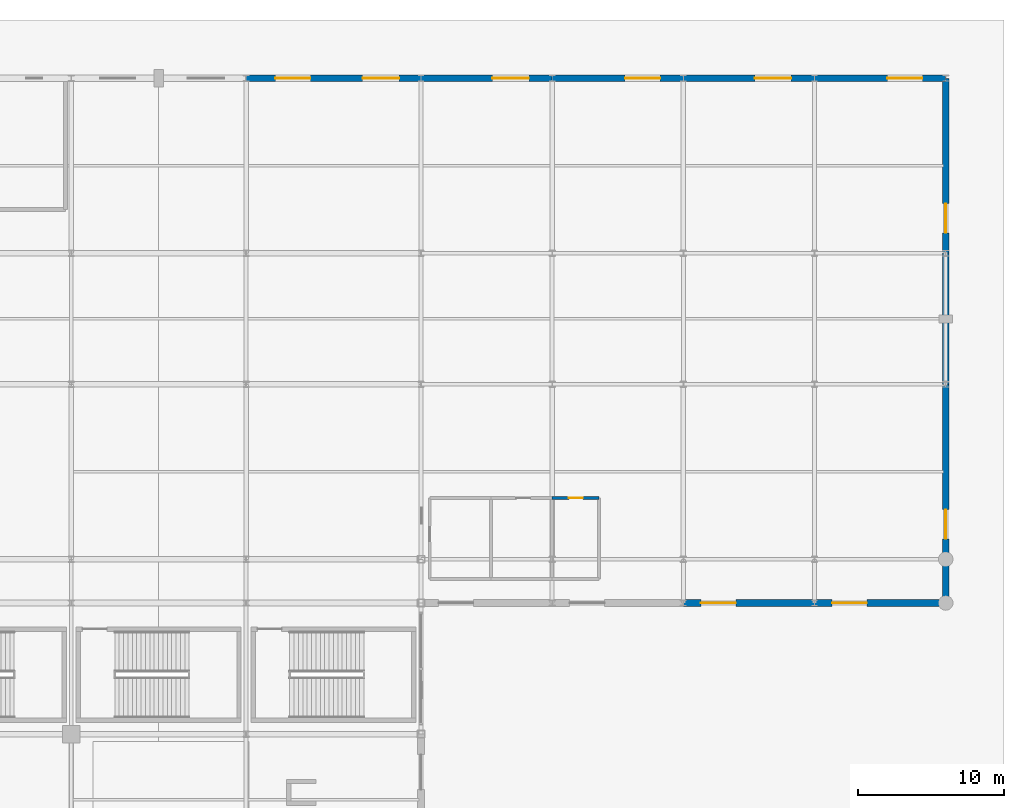
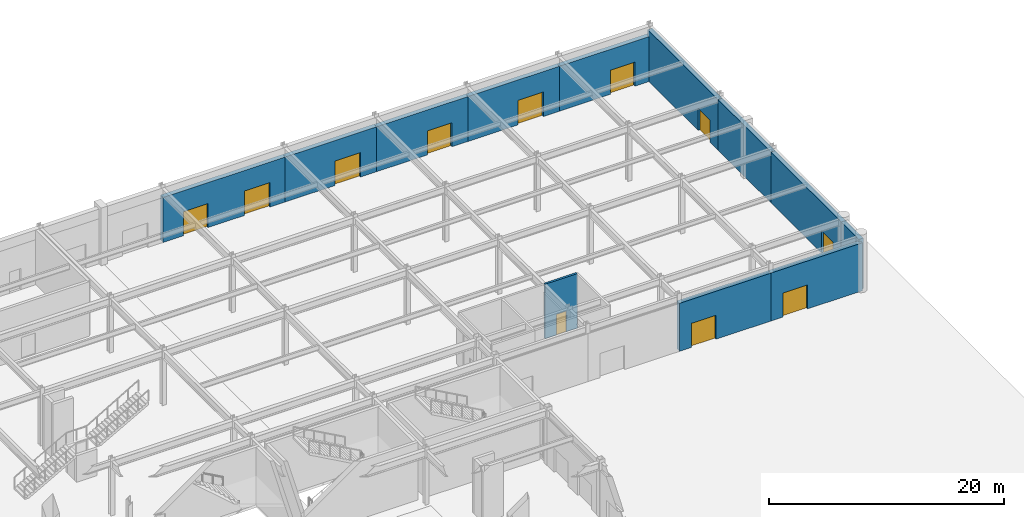
# One storey, part 30 of 44: 12 walls, 11 doors, 11 openings.
"""IFC4 building model written with IfcOpenShell, lengths in metres."""

from ifc_helpers import new_model, si_unit, direction, frame, frame_2d, origin, place, context, subcontext, project, spatial, rectangle, extrude, material, layer, layer_set, type_object, element, fill, save


model = new_model("IFC4")

# Units and contexts
model_context = context("Model", 3, precision=1e-05, world=origin(), true_north=direction((0.0, 1.0)))
body_context = subcontext(model_context, "Body", "Model", "MODEL_VIEW")
ifc_project = project(units=[si_unit("LENGTHUNIT", "METRE"), si_unit("AREAUNIT", "SQUARE_METRE"), si_unit("VOLUMEUNIT", "CUBIC_METRE"), si_unit("PLANEANGLEUNIT", "RADIAN"), si_unit("MASSUNIT", "GRAM", prefix="KILO")], contexts=[model_context])

# Site, building, storey
site_placement = place(None, origin())
site = spatial("IfcSite", under=ifc_project, at=site_placement, CompositionType="ELEMENT")
building_placement = place(site_placement, origin())
building = spatial("IfcBuilding", under=site, at=building_placement, Name="Kaldorvane Square Convention Centre", CompositionType="ELEMENT")
storey_placement = place(building_placement, origin())
storey = spatial("IfcBuildingStorey", under=building, at=storey_placement, Name="L00", CompositionType="ELEMENT", Elevation=0.0)

# Wall, opening, door
ifc_material_1 = material(Name="Fire-Rated Gypsum Board on Acoustic Steel Studs", Category="steel")
ifc_layer_1 = layer(ifc_material_1, 0.1999969482421875)
ifc_layer_set_1 = layer_set([ifc_layer_1], Name="Fire-Rated Gypsum Board on Acoustic Steel Studs")
wall_type_1 = type_object("IfcWallType", Name="WL-CORR-200", PredefinedType="PARTITIONING", material=ifc_layer_set_1)
wall_1_placement = place(storey_placement, frame((150.1999969482422, 88.19999694824219, 0.0), z_axis=(0.0, 0.0, 1.0), x_axis=(-1.0, 0.0, 0.0)))
wall_1 = element("IfcWall", 1, at=wall_1_placement, inside=storey, type_object=wall_type_1, Name="East Concourse Accessible Restroom (L00) N Wall", PredefinedType="PARTITIONING", context=body_context, shape_type="SweptSolid", body=[
    extrude(rectangle(XDim=3.1999969482421875, YDim=0.1999969482421875, at=frame_2d((1.600006103515625, 0.0))), origin(), (0.0, 0.0, 1.0), 5.67999267578125),
])
opening_1_placement = place(wall_1_placement, frame((1.100006103515625, 0.0, 0.0)))
opening_1 = element("IfcOpeningElement", 2, at=opening_1_placement, cuts=wall_1, Name="Opening ID-13", PredefinedType="OPENING", context=body_context, shape_type="SweptSolid", body=[
    extrude(rectangle(XDim=0.9499969482421875, YDim=2.149993896484375, at=frame_2d((0.475006103515625, 1.0749969482421875))), frame((0.0, 0.114990234375, 0.0), z_axis=(0.0, -1.0, 0.0), x_axis=(1.0, 0.0, 0.0)), (0.0, 0.0, 1.0), 0.2299957275390625),
])
ifc_material_2 = material(Name="Architectural Solid-Core White Oak")
door_type_1 = type_object("IfcDoorType", Name="DR-WC-0950X2150", OperationType="SINGLE_SWING_LEFT", PredefinedType="DOOR", material=ifc_material_2)
door_1_placement = place(opening_1_placement, origin())
door_1 = element("IfcDoor", 3, at=door_1_placement, inside=storey, type_object=door_type_1, Name="East Concourse Accessible Restroom (L00) Door 1", OperationType="SINGLE_SWING_LEFT", OverallHeight=2.149993896484375, OverallWidth=0.9499969482421875, PredefinedType="DOOR", context=body_context, shape_type="SweptSolid", body=[
    extrude(rectangle(XDim=0.9499969482421875, YDim=2.149993896484375, at=frame_2d((0.475006103515625, 1.0749969482421875))), frame((0.0, 0.024993896484375, 0.0), z_axis=(0.0, -1.0, 0.0), x_axis=(1.0, 0.0, 0.0)), (0.0, 0.0, 1.0), 0.0500030517578125),
])
fill(opening_1, door_1)

# Wall, openings, doors
ifc_material_3 = material(Name="Concrete f'c = 42 MPa (Normalweight)", Category="concrete")
ifc_layer_2 = layer(ifc_material_3, 0.4499969482421875)
ifc_layer_set_2 = layer_set([ifc_layer_2], Name="Concrete f'c = 42 MPa (Normalweight)")
wall_type_2 = type_object("IfcWallType", Name="WL-EXT-450", PredefinedType="STANDARD", material=ifc_layer_set_2)
wall_2_placement = place(storey_placement, frame((138.0, 117.0, 0.0), z_axis=(0.0, 0.0, 1.0), x_axis=(-1.0, 0.0, 0.0)))
wall_2 = element("IfcWall", 4, at=wall_2_placement, inside=storey, type_object=wall_type_2, Name="North Square Brutalist Facade Wall (L00)", PredefinedType="STANDARD", context=body_context, shape_type="SweptSolid", body=[
    extrude(rectangle(XDim=12.0, YDim=0.4499969482421875, at=frame_2d((6.0, 0.0))), origin(), (0.0, 0.0, 1.0), 4.675994873046875),
])
opening_2_placement = place(wall_2_placement, frame((1.5, 0.0, 0.0)))
opening_2 = element("IfcOpeningElement", 5, at=opening_2_placement, cuts=wall_2, Name="Opening ED-01", PredefinedType="OPENING", context=body_context, shape_type="SweptSolid", body=[
    extrude(rectangle(XDim=2.5, YDim=2.5500030517578125, at=frame_2d((1.25, 1.274993896484375))), frame((0.0, 0.239990234375, 0.0), z_axis=(0.0, -1.0, 0.0), x_axis=(1.0, 0.0, 0.0)), (0.0, 0.0, 1.0), 0.4799957275390625),
])
opening_3_placement = place(wall_2_placement, frame((7.600006103515625, 0.0, 0.0)))
opening_3 = element("IfcOpeningElement", 6, at=opening_3_placement, cuts=wall_2, Name="Opening ED-02", PredefinedType="OPENING", context=body_context, shape_type="SweptSolid", body=[
    extrude(rectangle(XDim=2.399993896484375, YDim=2.5, at=frame_2d((1.1999969482421875, 1.25))), frame((0.0, 0.239990234375, 0.0), z_axis=(0.0, -1.0, 0.0), x_axis=(1.0, 0.0, 0.0)), (0.0, 0.0, 1.0), 0.4799957275390625),
])
ifc_material_4 = material(Name="Thermally Broken Aluminum and Tempered Glass", Category="aluminium")
door_type_2 = type_object("IfcDoorType", Name="DR-EXT-2400X2500", OperationType="DOUBLE_DOOR_SINGLE_SWING", PredefinedType="DOOR", material=ifc_material_4)
door_2_placement = place(opening_3_placement, origin())
door_2 = element("IfcDoor", 7, at=door_2_placement, inside=storey, type_object=door_type_2, Name="North Kaldorvane Square Entrance Exit Door 17", OperationType="DOUBLE_DOOR_SINGLE_SWING", OverallHeight=2.5, OverallWidth=2.399993896484375, PredefinedType="DOOR", context=body_context, shape_type="SweptSolid", body=[
    extrude(rectangle(XDim=2.399993896484375, YDim=2.5, at=frame_2d((1.1999969482421875, 1.25))), frame((0.0, 0.024993896484375, 0.0), z_axis=(0.0, -1.0, 0.0), x_axis=(1.0, 0.0, 0.0)), (0.0, 0.0, 1.0), 0.0500030517578125),
])
fill(opening_3, door_2)
door_type_3 = type_object("IfcDoorType", Name="DR-EXT-2500X2550", OperationType="DOUBLE_DOOR_SINGLE_SWING", PredefinedType="DOOR", material=ifc_material_4)
door_3_placement = place(opening_2_placement, origin())
door_3 = element("IfcDoor", 8, at=door_3_placement, inside=storey, type_object=door_type_3, Name="North Kaldorvane Square Entrance Exit Door 16", OperationType="DOUBLE_DOOR_SINGLE_SWING", OverallHeight=2.5500030517578125, OverallWidth=2.5, PredefinedType="DOOR", context=body_context, shape_type="SweptSolid", body=[
    extrude(rectangle(XDim=2.5, YDim=2.5500030517578125, at=frame_2d((1.25, 1.274993896484375))), frame((0.0, 0.024993896484375, 0.0), z_axis=(0.0, -1.0, 0.0), x_axis=(1.0, 0.0, 0.0)), (0.0, 0.0, 1.0), 0.0500030517578125),
])
fill(opening_2, door_3)

# Wall, opening, door
wall_3_placement = place(storey_placement, frame((147.0, 117.0, 0.0), z_axis=(0.0, 0.0, 1.0), x_axis=(-1.0, 0.0, 0.0)))
wall_3 = element("IfcWall", 9, at=wall_3_placement, inside=storey, type_object=wall_type_2, Name="North Square Brutalist Facade Wall (L00)", PredefinedType="STANDARD", context=body_context, shape_type="SweptSolid", body=[
    extrude(rectangle(XDim=9.0, YDim=0.4499969482421875, at=frame_2d((4.5, 0.0))), origin(), (0.0, 0.0, 1.0), 4.675994873046875),
])
opening_4_placement = place(wall_3_placement, frame((1.600006103515625, 0.0, 0.0)))
opening_4 = element("IfcOpeningElement", 10, at=opening_4_placement, cuts=wall_3, Name="Opening ED-01", PredefinedType="OPENING", context=body_context, shape_type="SweptSolid", body=[
    extrude(rectangle(XDim=2.5, YDim=2.5500030517578125, at=frame_2d((1.25, 1.274993896484375))), frame((0.0, 0.239990234375, 0.0), z_axis=(0.0, -1.0, 0.0), x_axis=(1.0, 0.0, 0.0)), (0.0, 0.0, 1.0), 0.4799957275390625),
])
door_4_placement = place(opening_4_placement, origin())
door_4 = element("IfcDoor", 11, at=door_4_placement, inside=storey, type_object=door_type_3, Name="North Kaldorvane Square Entrance Exit Door 18", OperationType="DOUBLE_DOOR_SINGLE_SWING", OverallHeight=2.5500030517578125, OverallWidth=2.5, PredefinedType="DOOR", context=body_context, shape_type="SweptSolid", body=[
    extrude(rectangle(XDim=2.5, YDim=2.5500030517578125, at=frame_2d((1.25, 1.274993896484375))), frame((0.0, 0.024993896484375, 0.0), z_axis=(0.0, -1.0, 0.0), x_axis=(1.0, 0.0, 0.0)), (0.0, 0.0, 1.0), 0.0500030517578125),
])
fill(opening_4, door_4)

wall_4_placement = place(storey_placement, frame((156.0, 117.0, 0.0), z_axis=(0.0, 0.0, 1.0), x_axis=(-1.0, 0.0, 0.0)))
wall_4 = element("IfcWall", 12, at=wall_4_placement, inside=storey, type_object=wall_type_2, Name="North Square Brutalist Facade Wall (L00)", PredefinedType="STANDARD", context=body_context, shape_type="SweptSolid", body=[
    extrude(rectangle(XDim=9.0, YDim=0.4499969482421875, at=frame_2d((4.5, 0.0))), origin(), (0.0, 0.0, 1.0), 4.675994873046875),
])
opening_5_placement = place(wall_4_placement, frame((1.600006103515625, 0.0, 0.0)))
opening_5 = element("IfcOpeningElement", 13, at=opening_5_placement, cuts=wall_4, Name="Opening ED-02", PredefinedType="OPENING", context=body_context, shape_type="SweptSolid", body=[
    extrude(rectangle(XDim=2.399993896484375, YDim=2.5, at=frame_2d((1.1999969482421875, 1.25))), frame((0.0, 0.239990234375, 0.0), z_axis=(0.0, -1.0, 0.0), x_axis=(1.0, 0.0, 0.0)), (0.0, 0.0, 1.0), 0.4799957275390625),
])
door_5_placement = place(opening_5_placement, origin())
door_5 = element("IfcDoor", 14, at=door_5_placement, inside=storey, type_object=door_type_2, Name="North Kaldorvane Square Entrance Exit Door 19", OperationType="DOUBLE_DOOR_SINGLE_SWING", OverallHeight=2.5, OverallWidth=2.399993896484375, PredefinedType="DOOR", context=body_context, shape_type="SweptSolid", body=[
    extrude(rectangle(XDim=2.399993896484375, YDim=2.5, at=frame_2d((1.1999969482421875, 1.25))), frame((0.0, 0.024993896484375, 0.0), z_axis=(0.0, -1.0, 0.0), x_axis=(1.0, 0.0, 0.0)), (0.0, 0.0, 1.0), 0.0500030517578125),
])
fill(opening_5, door_5)

wall_5_placement = place(storey_placement, frame((165.0, 117.0, 0.0), z_axis=(0.0, 0.0, 1.0), x_axis=(-1.0, 0.0, 0.0)))
wall_5 = element("IfcWall", 15, at=wall_5_placement, inside=storey, type_object=wall_type_2, Name="North Square Brutalist Facade Wall (L00)", PredefinedType="STANDARD", context=body_context, shape_type="SweptSolid", body=[
    extrude(rectangle(XDim=9.0, YDim=0.4499969482421875, at=frame_2d((4.5, 0.0))), origin(), (0.0, 0.0, 1.0), 4.675994873046875),
])
opening_6_placement = place(wall_5_placement, frame((1.600006103515625, 0.0, 0.0)))
opening_6 = element("IfcOpeningElement", 16, at=opening_6_placement, cuts=wall_5, Name="Opening ED-01", PredefinedType="OPENING", context=body_context, shape_type="SweptSolid", body=[
    extrude(rectangle(XDim=2.5, YDim=2.5500030517578125, at=frame_2d((1.25, 1.274993896484375))), frame((0.0, 0.239990234375, 0.0), z_axis=(0.0, -1.0, 0.0), x_axis=(1.0, 0.0, 0.0)), (0.0, 0.0, 1.0), 0.4799957275390625),
])
door_6_placement = place(opening_6_placement, origin())
door_6 = element("IfcDoor", 17, at=door_6_placement, inside=storey, type_object=door_type_3, Name="North Kaldorvane Square Entrance Exit Door 20", OperationType="DOUBLE_DOOR_SINGLE_SWING", OverallHeight=2.5500030517578125, OverallWidth=2.5, PredefinedType="DOOR", context=body_context, shape_type="SweptSolid", body=[
    extrude(rectangle(XDim=2.5, YDim=2.5500030517578125, at=frame_2d((1.25, 1.274993896484375))), frame((0.0, 0.024993896484375, 0.0), z_axis=(0.0, -1.0, 0.0), x_axis=(1.0, 0.0, 0.0)), (0.0, 0.0, 1.0), 0.0500030517578125),
])
fill(opening_6, door_6)

wall_6_placement = place(storey_placement, frame((174.0, 117.0, 0.0), z_axis=(0.0, 0.0, 1.0), x_axis=(-1.0, 0.0, 0.0)))
wall_6 = element("IfcWall", 18, at=wall_6_placement, inside=storey, type_object=wall_type_2, Name="North Square Brutalist Facade Wall (L00)", PredefinedType="STANDARD", context=body_context, shape_type="SweptSolid", body=[
    extrude(rectangle(XDim=9.0, YDim=0.4499969482421875, at=frame_2d((4.5, 0.0))), origin(), (0.0, 0.0, 1.0), 4.675994873046875),
])
opening_7_placement = place(wall_6_placement, frame((1.600006103515625, 0.0, 0.0)))
opening_7 = element("IfcOpeningElement", 19, at=opening_7_placement, cuts=wall_6, Name="Opening ED-02", PredefinedType="OPENING", context=body_context, shape_type="SweptSolid", body=[
    extrude(rectangle(XDim=2.399993896484375, YDim=2.5, at=frame_2d((1.1999969482421875, 1.25))), frame((0.0, 0.239990234375, 0.0), z_axis=(0.0, -1.0, 0.0), x_axis=(1.0, 0.0, 0.0)), (0.0, 0.0, 1.0), 0.4799957275390625),
])
door_7_placement = place(opening_7_placement, origin())
door_7 = element("IfcDoor", 20, at=door_7_placement, inside=storey, type_object=door_type_2, Name="North Kaldorvane Square Entrance Exit Door 21", OperationType="DOUBLE_DOOR_SINGLE_SWING", OverallHeight=2.5, OverallWidth=2.399993896484375, PredefinedType="DOOR", context=body_context, shape_type="SweptSolid", body=[
    extrude(rectangle(XDim=2.399993896484375, YDim=2.5, at=frame_2d((1.1999969482421875, 1.25))), frame((0.0, 0.024993896484375, 0.0), z_axis=(0.0, -1.0, 0.0), x_axis=(1.0, 0.0, 0.0)), (0.0, 0.0, 1.0), 0.0500030517578125),
])
fill(opening_7, door_7)

# Wall
wall_7_placement = place(storey_placement, frame((174.0, 81.0, 0.0), z_axis=(0.0, 0.0, 1.0), x_axis=(0.0, 1.0, 0.0)))
element("IfcWall", 21, at=wall_7_placement, inside=storey, type_object=wall_type_2, Name="East Square Brutalist Wing Wall (L00)", PredefinedType="STANDARD", context=body_context, shape_type="SweptSolid", body=[
    extrude(rectangle(XDim=3.0, YDim=0.4499969482421875, at=frame_2d((1.5, 0.0))), origin(), (0.0, 0.0, 1.0), 5.2689971923828125),
])

# Wall, opening, door
wall_8_placement = place(storey_placement, frame((174.0, 84.0, 0.0), z_axis=(0.0, 0.0, 1.0), x_axis=(0.0, 1.0, 0.0)))
wall_8 = element("IfcWall", 22, at=wall_8_placement, inside=storey, type_object=wall_type_2, Name="East Square Brutalist Wing Wall (L00)", PredefinedType="STANDARD", context=body_context, shape_type="SweptSolid", body=[
    extrude(rectangle(XDim=12.0, YDim=0.4499969482421875, at=frame_2d((6.0, 0.0))), origin(), (0.0, 0.0, 1.0), 5.2689971923828125),
])
opening_8_placement = place(wall_8_placement, frame((1.399993896484375, 0.0, 0.0)))
opening_8 = element("IfcOpeningElement", 23, at=opening_8_placement, cuts=wall_8, Name="Opening ED-05", PredefinedType="OPENING", context=body_context, shape_type="SweptSolid", body=[
    extrude(rectangle(XDim=2.0, YDim=2.3000030517578125, at=frame_2d((1.0, 1.149993896484375))), frame((0.0, 0.239990234375, 0.0), z_axis=(0.0, -1.0, 0.0), x_axis=(1.0, 0.0, 0.0)), (0.0, 0.0, 1.0), 0.4799957275390625),
])
door_type_4 = type_object("IfcDoorType", Name="DR-EXT-2000X2300", OperationType="DOUBLE_DOOR_SINGLE_SWING", PredefinedType="DOOR", material=ifc_material_4)
door_8_placement = place(opening_8_placement, origin())
door_8 = element("IfcDoor", 24, at=door_8_placement, inside=storey, type_object=door_type_4, Name="East Wing Square Exit Door 25", OperationType="DOUBLE_DOOR_SINGLE_SWING", OverallHeight=2.3000030517578125, OverallWidth=2.0, PredefinedType="DOOR", context=body_context, shape_type="SweptSolid", body=[
    extrude(rectangle(XDim=2.0, YDim=2.3000030517578125, at=frame_2d((1.0, 1.149993896484375))), frame((0.0, 0.024993896484375, 0.0), z_axis=(0.0, -1.0, 0.0), x_axis=(1.0, 0.0, 0.0)), (0.0, 0.0, 1.0), 0.0500030517578125),
])
fill(opening_8, door_8)

# Wall
wall_9_placement = place(storey_placement, frame((174.0, 96.0, 0.0), z_axis=(0.0, 0.0, 1.0), x_axis=(0.0, 1.0, 0.0)))
element("IfcWall", 25, at=wall_9_placement, inside=storey, type_object=wall_type_2, Name="East Square Brutalist Wing Wall (L00)", PredefinedType="STANDARD", context=body_context, shape_type="SweptSolid", body=[
    extrude(rectangle(XDim=9.0, YDim=0.4499969482421875, at=frame_2d((4.5, 0.0))), origin(), (0.0, 0.0, 1.0), 5.2689971923828125),
])

# Wall, opening, door
wall_10_placement = place(storey_placement, frame((174.0, 105.0, 0.0), z_axis=(0.0, 0.0, 1.0), x_axis=(0.0, 1.0, 0.0)))
wall_10 = element("IfcWall", 26, at=wall_10_placement, inside=storey, type_object=wall_type_2, Name="East Square Brutalist Wing Wall (L00)", PredefinedType="STANDARD", context=body_context, shape_type="SweptSolid", body=[
    extrude(rectangle(XDim=12.0, YDim=0.4499969482421875, at=frame_2d((6.0, 0.0))), origin(), (0.0, 0.0, 1.0), 5.2689971923828125),
])
opening_9_placement = place(wall_10_placement, frame((1.399993896484375, 0.0, 0.0)))
opening_9 = element("IfcOpeningElement", 27, at=opening_9_placement, cuts=wall_10, Name="Opening ED-05", PredefinedType="OPENING", context=body_context, shape_type="SweptSolid", body=[
    extrude(rectangle(XDim=2.0, YDim=2.3000030517578125, at=frame_2d((1.0, 1.149993896484375))), frame((0.0, 0.239990234375, 0.0), z_axis=(0.0, -1.0, 0.0), x_axis=(1.0, 0.0, 0.0)), (0.0, 0.0, 1.0), 0.4799957275390625),
])
door_9_placement = place(opening_9_placement, origin())
door_9 = element("IfcDoor", 28, at=door_9_placement, inside=storey, type_object=door_type_4, Name="East Wing Square Exit Door 26", OperationType="DOUBLE_DOOR_SINGLE_SWING", OverallHeight=2.3000030517578125, OverallWidth=2.0, PredefinedType="DOOR", context=body_context, shape_type="SweptSolid", body=[
    extrude(rectangle(XDim=2.0, YDim=2.3000030517578125, at=frame_2d((1.0, 1.149993896484375))), frame((0.0, 0.024993896484375, 0.0), z_axis=(0.0, -1.0, 0.0), x_axis=(1.0, 0.0, 0.0)), (0.0, 0.0, 1.0), 0.0500030517578125),
])
fill(opening_9, door_9)

wall_11_placement = place(storey_placement, frame((156.0, 81.0, 0.0), z_axis=(0.0, 0.0, 1.0), x_axis=(1.0, 0.0, 0.0)))
wall_11 = element("IfcWall", 29, at=wall_11_placement, inside=storey, type_object=wall_type_2, Name="Civic Forecourt Entrance Portal FCN-3", PredefinedType="STANDARD", context=body_context, shape_type="SweptSolid", body=[
    extrude(rectangle(XDim=9.0, YDim=0.4499969482421875, at=frame_2d((4.5, 0.0))), origin(), (0.0, 0.0, 1.0), 4.98699951171875),
])
opening_10_placement = place(wall_11_placement, frame((1.1999969482421875, 0.0, 0.0)))
opening_10 = element("IfcOpeningElement", 30, at=opening_10_placement, cuts=wall_11, Name="Opening ED-02", PredefinedType="OPENING", context=body_context, shape_type="SweptSolid", body=[
    extrude(rectangle(XDim=2.399993896484375, YDim=2.5, at=frame_2d((1.1999969482421875, 1.25))), frame((0.0, 0.239990234375, 0.0), z_axis=(0.0, -1.0, 0.0), x_axis=(1.0, 0.0, 0.0)), (0.0, 0.0, 1.0), 0.4799957275390625),
])
door_10_placement = place(opening_10_placement, origin())
door_10 = element("IfcDoor", 31, at=door_10_placement, inside=storey, type_object=door_type_2, Name="Civic Forecourt Main Entrance Door 45", OperationType="DOUBLE_DOOR_SINGLE_SWING", OverallHeight=2.5, OverallWidth=2.399993896484375, PredefinedType="DOOR", context=body_context, shape_type="SweptSolid", body=[
    extrude(rectangle(XDim=2.399993896484375, YDim=2.5, at=frame_2d((1.1999969482421875, 1.25))), frame((0.0, 0.024993896484375, 0.0), z_axis=(0.0, -1.0, 0.0), x_axis=(1.0, 0.0, 0.0)), (0.0, 0.0, 1.0), 0.0500030517578125),
])
fill(opening_10, door_10)

wall_12_placement = place(storey_placement, frame((165.0, 81.0, 0.0), z_axis=(0.0, 0.0, 1.0), x_axis=(1.0, 0.0, 0.0)))
wall_12 = element("IfcWall", 32, at=wall_12_placement, inside=storey, type_object=wall_type_2, Name="Civic Forecourt Entrance Portal FCN-4", PredefinedType="STANDARD", context=body_context, shape_type="SweptSolid", body=[
    extrude(rectangle(XDim=9.0, YDim=0.4499969482421875, at=frame_2d((4.5, 0.0))), origin(), (0.0, 0.0, 1.0), 4.98699951171875),
])
opening_11_placement = place(wall_12_placement, frame((1.1999969482421875, 0.0, 0.0)))
opening_11 = element("IfcOpeningElement", 33, at=opening_11_placement, cuts=wall_12, Name="Opening ED-02", PredefinedType="OPENING", context=body_context, shape_type="SweptSolid", body=[
    extrude(rectangle(XDim=2.399993896484375, YDim=2.5, at=frame_2d((1.1999969482421875, 1.25))), frame((0.0, 0.239990234375, 0.0), z_axis=(0.0, -1.0, 0.0), x_axis=(1.0, 0.0, 0.0)), (0.0, 0.0, 1.0), 0.4799957275390625),
])
door_11_placement = place(opening_11_placement, origin())
door_11 = element("IfcDoor", 34, at=door_11_placement, inside=storey, type_object=door_type_2, Name="Civic Forecourt Main Entrance Door 46", OperationType="DOUBLE_DOOR_SINGLE_SWING", OverallHeight=2.5, OverallWidth=2.399993896484375, PredefinedType="DOOR", context=body_context, shape_type="SweptSolid", body=[
    extrude(rectangle(XDim=2.399993896484375, YDim=2.5, at=frame_2d((1.1999969482421875, 1.25))), frame((0.0, 0.024993896484375, 0.0), z_axis=(0.0, -1.0, 0.0), x_axis=(1.0, 0.0, 0.0)), (0.0, 0.0, 1.0), 0.0500030517578125),
])
fill(opening_11, door_11)

save(model, "model.ifc")
